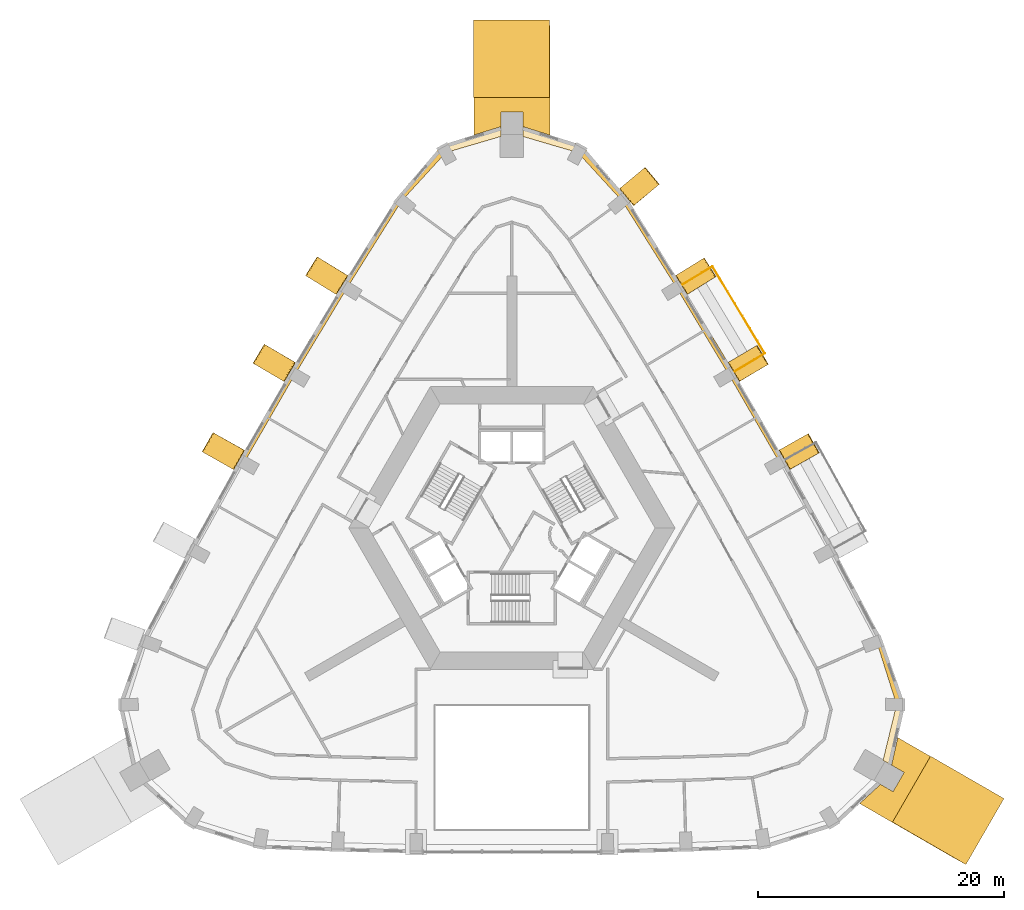
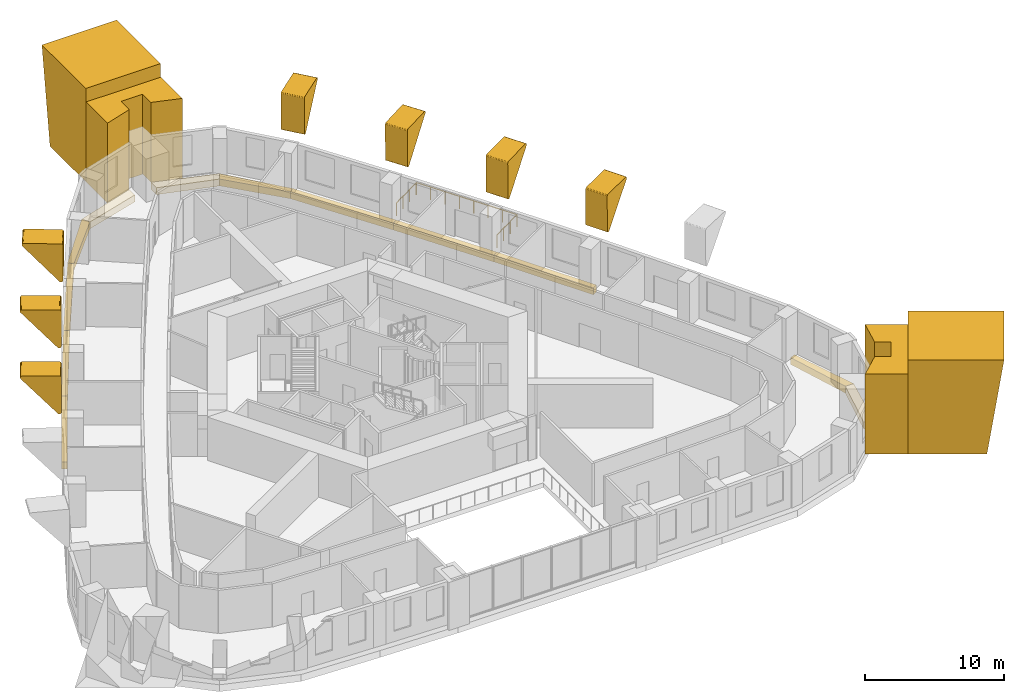
# One storey, part 13 of 13: 23 coverings, 1 railing.
"""IFC4 building model written with IfcOpenShell, lengths in metres."""

from ifc_helpers import new_model, si_unit, direction, frame, origin, origin_2d, place, context, subcontext, project, spatial, polyline, circle, outline, extrude, material, type_object, element, save


model = new_model("IFC4")

# Units and contexts
model_context = context("Model", 3, precision=1e-05, world=origin(), true_north=direction((0.0, 1.0)))
body_context = subcontext(model_context, "Body", "Model", "MODEL_VIEW")
ifc_project = project(units=[si_unit("LENGTHUNIT", "METRE"), si_unit("AREAUNIT", "SQUARE_METRE"), si_unit("VOLUMEUNIT", "CUBIC_METRE"), si_unit("PLANEANGLEUNIT", "RADIAN"), si_unit("MASSUNIT", "GRAM", prefix="KILO")], contexts=[model_context])

# Site, building, storey
site_placement = place(None, origin())
site = spatial("IfcSite", under=ifc_project, at=site_placement, CompositionType="ELEMENT")
building_placement = place(site_placement, origin())
building = spatial("IfcBuilding", under=site, at=building_placement, Name="Entoto Arch Interchange Tower", CompositionType="ELEMENT")
storey_placement = place(building_placement, frame((0.0, 0.0, 227.60009765625)))
storey = spatial("IfcBuildingStorey", under=building, at=storey_placement, Name="L51", CompositionType="ELEMENT", Elevation=227.60009765625)

# Railing
ifc_material_1 = material(Name="Stainless steel 1.4301", Category="steel")
railing_type = type_object("IfcRailingType", Name="GUARD 1100 STEEL AND GLASS", PredefinedType="GUARDRAIL", material=ifc_material_1)
railing_placement = place(storey_placement, frame((18.054931640625, 15.19091796875, 0.0)))
element("IfcRailing", 1, at=railing_placement, inside=storey, type_object=railing_type, Name="Balcony guard NE-04 L51", PredefinedType="GUARDRAIL", context=body_context, shape_type="SweptSolid", body=[
    extrude(circle(Radius=0.02392578125, at=origin_2d()), frame((0.0, 0.0, 1.076171875), z_axis=(0.857251870597, 0.514897300787, 0.0), x_axis=(-0.514897300787, 0.857251870597, 0.0)), (0.0, 0.0, 1.0), 2.9501953125),
    extrude(circle(Radius=0.02392578125, at=origin_2d()), frame((2.529052734375, 1.51904296875, 1.076171875), z_axis=(-0.514982587874, 0.857200638232, 0.0), x_axis=(-0.857200638232, -0.514982587874, 0.0)), (0.0, 0.0, 1.0), 8.25830078125),
    extrude(circle(Radius=0.02392578125, at=origin_2d()), frame((-1.723876953125, 8.59814453125, 1.076171875), z_axis=(-0.857251870597, -0.514897300787, 0.0), x_axis=(0.514897300787, -0.857251870597, 0.0)), (0.0, 0.0, 1.0), 2.9501953125),
    extrude(circle(Radius=0.02099609375, at=origin_2d()), origin(), (0.0, 0.0, 1.0), 1.052001953125),
    extrude(circle(Radius=0.02099609375, at=origin_2d()), frame((0.843017578125, 0.50634765625, 0.0)), (0.0, 0.0, 1.0), 1.052001953125),
    extrude(circle(Radius=0.02099609375, at=origin_2d()), frame((1.68603515625, 1.0126953125, 0.0)), (0.0, 0.0, 1.0), 1.052001953125),
    extrude(circle(Radius=0.02099609375, at=origin_2d()), frame((2.529052734375, 1.51904296875, 0.0)), (0.0, 0.0, 1.0), 1.052001953125),
    extrude(circle(Radius=0.02099609375, at=origin_2d()), frame((1.92138671875, 2.5302734375, 0.0)), (0.0, 0.0, 1.0), 1.052001953125),
    extrude(circle(Radius=0.02099609375, at=origin_2d()), frame((1.31396484375, 3.541748046875, 0.0)), (0.0, 0.0, 1.0), 1.052001953125),
    extrude(circle(Radius=0.02099609375, at=origin_2d()), frame((0.706298828125, 4.552978515625, 0.0)), (0.0, 0.0, 1.0), 1.052001953125),
    extrude(circle(Radius=0.02099609375, at=origin_2d()), frame((0.098876953125, 5.564208984375, 0.0)), (0.0, 0.0, 1.0), 1.052001953125),
    extrude(circle(Radius=0.02099609375, at=origin_2d()), frame((-0.5087890625, 6.575439453125, 0.0)), (0.0, 0.0, 1.0), 1.052001953125),
    extrude(circle(Radius=0.02099609375, at=origin_2d()), frame((-1.1162109375, 7.5869140625, 0.0)), (0.0, 0.0, 1.0), 1.052001953125),
    extrude(circle(Radius=0.02099609375, at=origin_2d()), frame((-1.723876953125, 8.59814453125, 0.0)), (0.0, 0.0, 1.0), 1.052001953125),
    extrude(circle(Radius=0.02099609375, at=origin_2d()), frame((-2.56689453125, 8.091796875, 0.0)), (0.0, 0.0, 1.0), 1.052001953125),
    extrude(circle(Radius=0.02099609375, at=origin_2d()), frame((-3.409912109375, 7.58544921875, 0.0)), (0.0, 0.0, 1.0), 1.052001953125),
    extrude(circle(Radius=0.02099609375, at=origin_2d()), frame((-4.2529296875, 7.0791015625, 0.0)), (0.0, 0.0, 1.0), 1.052001953125),
])

# Coverings
ifc_material_2 = material(Name="Board-marked precast concrete C50/60", Category="concrete")
covering_type_1 = type_object("IfcCoveringType", Name="PRECAST FRAME COURSE", PredefinedType="CLADDING", material=ifc_material_2)
covering_1_placement = place(storey_placement, frame((0.0, 0.0, -0.400146484375)))
element("IfcCovering", 2, at=covering_1_placement, inside=storey, type_object=covering_type_1, Name="Corner pilaster SE L51-L52", PredefinedType="CLADDING", context=body_context, shape_type="SweptSolid", body=[
    extrude(outline(polyline([(34.068115234375, -16.089111328125), (30.968017578125, -21.458984375), (28.30810546875, -19.923095703125), (30.0048828125, -18.362060546875), (31.028076171875, -18.952880859375), (31.927978515625, -17.39501953125), (30.905029296875, -16.803955078125), (31.407958984375, -14.553955078125), (34.068115234375, -16.089111328125)])), origin(), (0.0, 0.0, 1.0), 7.0),
])
covering_2_placement = place(storey_placement, frame((0.0, 0.0, -0.400146484375)))
element("IfcCovering", 3, at=covering_2_placement, inside=storey, type_object=covering_type_1, Name="Corner pilaster N L51-L52", PredefinedType="CLADDING", context=body_context, shape_type="SweptSolid", body=[
    extrude(outline(polyline([(-3.10009765625, 37.548095703125), (3.10009765625, 37.548095703125), (3.10009765625, 34.47705078125), (0.89990234375, 35.166015625), (0.89990234375, 36.347900390625), (-0.89990234375, 36.347900390625), (-0.89990234375, 35.166015625), (-3.10009765625, 34.47705078125), (-3.10009765625, 37.548095703125)])), origin(), (0.0, 0.0, 1.0), 7.0),
])
covering_3_placement = place(storey_placement, frame((30.968017578125, -21.458984375, -0.400146484375), z_axis=(-0.49993080446, -0.866060082597, 0.003020609797), x_axis=(0.866064033821, -0.499933084845, 1.28492e-07)))
element("IfcCovering", 4, at=covering_3_placement, inside=storey, type_object=covering_type_1, Name="Corner rib SE L51-L52", PredefinedType="CLADDING", context=body_context, shape_type="SweptSolid", body=[
    extrude(outline(polyline([(0.0, 0.0), (5.675005755559608, -1.734723475976807e-18), (6.89978450133589, 8.199987694082104), (-0.0006231748852076205, 8.19998930992508), (0.0, 0.0)])), origin(), (0.0, 0.0, -1.0), 6.199951171875),
])
covering_4_placement = place(storey_placement, frame((3.10009765625, 37.548095703125, -0.400146484375), z_axis=(0.999995297823, 0.0, 0.003066648277), x_axis=(0.0, 1.0, 0.0)))
element("IfcCovering", 5, at=covering_4_placement, inside=storey, type_object=covering_type_1, Name="Corner rib N L51-L52", PredefinedType="CLADDING", context=body_context, shape_type="SweptSolid", body=[
    extrude(outline(polyline([(0.0, 0.0), (5.181884765625, 0.0), (6.2998046875, 8.199989729677144), (0.0, 8.199989729677144), (0.0, 0.0)])), origin(), (0.0, 0.0, -1.0), 6.199951171875),
])
covering_5_placement = place(storey_placement, frame((22.85791015625, 7.387939453125, 4.52783203125), z_axis=(0.491576967194, -0.870828589468, 0.003106942243), x_axis=(-0.634320139309, -0.360509407057, -0.683864700281)))
element("IfcCovering", 6, at=covering_5_placement, inside=storey, type_object=covering_type_1, Name="Fold rib NE03 L51-L52", PredefinedType="CLADDING", context=body_context, shape_type="SweptSolid", body=[
    extrude(outline(polyline([(0.0, 0.0), (0.043911368524046354, 6.938893903907228e-18), (0.08593271025563004, -0.013624460586668052), (0.12203185228078238, -0.03909288390577523), (0.14958583988626284, -0.07328688225286195), (0.16547321508668925, -0.11394071397998155), (0.16984279958621346, -0.15785701935915258), (0.16045663784232295, -0.2012608835699885), (0.13856206900591655, -0.23963247374269606), (-1.9411161600260316, -2.4597055127682133), (-1.9630153409614421, -2.479002793426758), (-1.9879479606843236, -2.4937793099642445), (-2.030498192091902, -2.506096282119965), (-2.060277239418708, -2.5069641299541736), (-2.088927523389633, -2.5021951032300125), (-2.1298684851256597, -2.4842289353187543), (-2.1531249826477317, -2.466449771331687), (-3.94739389095182, -0.7846561488272543), (-3.97531203436521, -0.7504595737932034), (-3.9871272985380166, -0.7229860794531526), (-3.9937389740037865, -0.6947044807622047), (-3.994448986643925, -0.6652611033169173), (-3.9898186931248647, -0.6368092827951237), (-3.9797479826145663, -0.6091068195122304), (-3.9637692443616928, -0.5842622252535754), (-3.9446875172923708, -0.5626607458666619), (-3.9205779166059997, -0.5454378288624282), (-3.893935754598184, -0.5332700526148613), (-3.8651742170488275, -0.5260967640960683), (0.0, 0.0)])), origin(), (0.0, 0.0, -1.0), 1.800048828125),
])
covering_6_placement = place(storey_placement, frame((18.741943359375, 14.552001953125, 4.52783203125), z_axis=(0.508675880384, -0.860953839268, 0.002708387933), x_axis=(-0.63279111093, -0.376000291356, -0.67690412233)))
element("IfcCovering", 7, at=covering_6_placement, inside=storey, type_object=covering_type_1, Name="Fold rib NE04 L51-L52", PredefinedType="CLADDING", context=body_context, shape_type="SweptSolid", body=[
    extrude(outline(polyline([(0.0, 0.0), (0.0443646030487318, -3.469446951953614e-18), (0.08624555930871344, -0.012975883275242892), (0.12324577121394895, -0.03738464969672398), (0.1505646327132973, -0.07212322072284208), (0.16745905051965398, -0.11320105758241068), (0.17152628834628117, -0.1564136481487727), (0.16291199203017953, -0.20023347095962551), (0.1414701345333054, -0.2388914645316724), (-1.9172392283729605, -2.4784240231967174), (-1.938875439743951, -2.497999360000449), (-1.9642819781394676, -2.5124437745213846), (-2.0066107779472127, -2.5252616141886035), (-2.0358645664149657, -2.526882007651118), (-2.0650148894977383, -2.521968053702342), (-2.1058547969529315, -2.50464209334283), (-2.129195509979199, -2.487158149828168), (-3.9405364122704816, -0.8214022755009689), (-3.968159894945439, -0.7880393334938944), (-3.979908449469839, -0.7609846395339921), (-3.986785494817173, -0.7327680279480635), (-3.9881362762623604, -0.7030022801815836), (-3.9837760465136878, -0.6745068359722208), (-3.973969426631376, -0.6467085262177079), (-3.9586493646852157, -0.6213269237154599), (-3.9391487088173065, -0.6001218911359736), (-3.9157548995059357, -0.5821639024388106), (-3.8890283348066172, -0.5699254686801958), (-3.860182115439823, -0.562622709381134), (0.0, 0.0)])), origin(), (0.0, 0.0, -1.0), 1.800048828125),
])
covering_7_placement = place(storey_placement, frame((14.501953125, 21.64404296875, 4.52880859375), z_axis=(0.525322815629, -0.850896800161, 0.003251900143), x_axis=(-0.627565395625, -0.390018682633, -0.67383017253)))
element("IfcCovering", 8, at=covering_7_placement, inside=storey, type_object=covering_type_1, Name="Fold rib NE05 L51-L52", PredefinedType="CLADDING", context=body_context, shape_type="SweptSolid", body=[
    extrude(outline(polyline([(0.0, 0.0), (0.04420191502299069, 3.469446951953614e-18), (0.0866724998743619, -0.012959476548255633), (0.1235292395985271, -0.0369886521149218), (0.15099765300161921, -0.07162076127842755), (0.16847411640580917, -0.11167889890840324), (0.17252446236770974, -0.15601483827026985), (0.163709446802529, -0.19952603124421392), (0.14280521739302063, -0.23861353270080163), (-1.906019944452079, -2.485870475745193), (-1.9275840223713, -2.5055272350863373), (-1.9524000267038912, -2.520562649999279), (-1.9952927964316525, -2.5329895743890574), (-2.024297251474172, -2.534956630731815), (-2.0533779169014768, -2.53024356922066), (-2.0940455777733606, -2.513312606348193), (-2.117932019540412, -2.4954968319972224), (-3.9298894298645877, -0.8430571484331866), (-3.9499808621723878, -0.8207717142608362), (-3.9649945530873776, -0.796172832422092), (-3.9774097294997075, -0.7537925061103317), (-3.978884652633771, -0.7240309622778387), (-3.9746381895403986, -0.6955207323804957), (-3.964427065896137, -0.6681586072593453), (-3.949210588105278, -0.6427149898580549), (-3.929798488408369, -0.6214289220491072), (-3.906474604998144, -0.6033784626320757), (-3.879551802889437, -0.5912550781976849), (-3.8521672961992683, -0.5838476282934502), (0.0, 0.0)])), origin(), (0.0, 0.0, -1.0), 1.800048828125),
])
covering_8_placement = place(storey_placement, frame((10.114990234375, 28.89501953125, 4.531982421875), z_axis=(0.63878142564, -0.769382833155, 0.002888997078), x_axis=(-0.564408988161, -0.471146784183, -0.677837149939)))
element("IfcCovering", 9, at=covering_8_placement, inside=storey, type_object=covering_type_1, Name="Fold rib NE06 L51-L52", PredefinedType="CLADDING", context=body_context, shape_type="SweptSolid", body=[
    extrude(outline(polyline([(0.0, 0.0), (0.04430232169790698, -3.469446951953614e-18), (0.08589181760261966, -0.01244298361781606), (0.12321027850882846, -0.03722036646724846), (0.1514546146384638, -0.0715627562106459), (0.16823933214936712, -0.11293863655400832), (0.17265914575762564, -0.15619663035434866), (0.16371143658187404, -0.1997522848119002), (0.14235359189858587, -0.2385045647859624), (-1.9175495176416584, -2.4729577576357453), (-1.939265110176191, -2.4924537705246808), (-1.963991121471326, -2.50751310919119), (-2.006882821998999, -2.519771223498347), (-2.0364206429118994, -2.521095550753564), (-2.0650163601950466, -2.5166503227009045), (-2.105470058804166, -2.4996081388613924), (-2.1292656625806567, -2.4816533882800544), (-3.9181349373191896, -0.83237197518922), (-3.945418450029972, -0.799246263194918), (-3.957671871578901, -0.7716795757071313), (-3.9645143039558026, -0.7434517993813436), (-3.9661124153526277, -0.7147488322187832), (-3.96171199845005, -0.6849356682131509), (-3.951110846819987, -0.6578504820026658), (-3.937094403702188, -0.6329171173145114), (-3.916739430693778, -0.610839386038819), (-3.89341039739964, -0.5941580594598814), (-3.8666113547215684, -0.5806776581231592), (-3.8383743588187293, -0.5741708228633131), (0.0, 0.0)])), origin(), (0.0, 0.0, -1.0), 1.800048828125),
])
covering_9_placement = place(storey_placement, frame((-13.552978515625, 23.174072265625, 4.501953125), z_axis=(0.525387548248, 0.850857002284, 0.00320714996), x_axis=(0.648046140491, -0.397707595997, -0.649511253083)))
element("IfcCovering", 10, at=covering_9_placement, inside=storey, type_object=covering_type_1, Name="Fold rib NW02 L51-L52", PredefinedType="CLADDING", context=body_context, shape_type="SweptSolid", body=[
    extrude(outline(polyline([(0.0, 0.0), (0.043227205073427984, 3.469446951953614e-18), (0.08530364538399965, -0.012182643182585336), (0.12149253852352593, -0.036675251684459294), (0.1490483700891961, -0.06952467767958552), (0.1665475682665989, -0.10919918237067625), (0.17203604829526897, -0.15209842983212682), (0.16423904378861448, -0.19552906056578778), (0.14485760608936357, -0.2341984212023982), (-1.8446463786187617, -2.5643978724145597), (-1.865803415529584, -2.584537373954877), (-1.8900223956227535, -2.6004545061409123), (-1.9318580954867801, -2.614806185333718), (-1.9615725056384667, -2.6170374035201425), (-1.9908879160314155, -2.61318629647798), (-2.0319241631427376, -2.59771672834883), (-2.05588778734266, -2.581101032146212), (-4.075288257570001, -0.8560661922960564), (-4.09608984906643, -0.8344416415072622), (-4.111650583626943, -0.8092684617142161), (-4.12543281250543, -0.7673119472879026), (-4.127872824334307, -0.7376146066320795), (-4.124309265556335, -0.7079061041919883), (-4.114257726346759, -0.6795662618048), (-4.099584019851992, -0.6538949552492084), (-4.079288581660675, -0.6317353768744942), (-4.055991960402221, -0.613427134385081), (-4.0287106794332015, -0.6014121296331454), (-4.000155347464595, -0.5927309682197235), (0.0, 0.0)])), origin(), (0.0, 0.0, -1.0), 1.800048828125),
])
covering_10_placement = place(storey_placement, frame((-17.823974609375, 16.10009765625, 4.5009765625), z_axis=(0.5084490585, 0.861086707245, 0.003039328452), x_axis=(0.662617403951, -0.388999133039, -0.640013945532)))
element("IfcCovering", 11, at=covering_10_placement, inside=storey, type_object=covering_type_1, Name="Fold rib NW03 L51-L52", PredefinedType="CLADDING", context=body_context, shape_type="SweptSolid", body=[
    extrude(outline(polyline([(0.0, 0.0), (0.043867923368931264, -3.469446951953614e-18), (0.08570453958665569, -0.011335520858551405), (0.12180449780949981, -0.03505136956317634), (0.15056606443527137, -0.06790566424337618), (0.1686521631430008, -0.10775444359442551), (0.17365771961727913, -0.1510063766399216), (0.16717895870569588, -0.19390883375883033), (0.1481883405356223, -0.23274019435266413), (-1.8130329965473442, -2.588065809695072), (-1.8339482955946915, -2.6084578264037446), (-1.8579720945775793, -2.624670239672763), (-1.9003614401046807, -2.6389276735395097), (-1.9295023664374003, -2.641981780438301), (-1.9587609043270497, -2.638579511826402), (-1.9997549673855917, -2.6238143073049613), (-2.0245710218974518, -2.6069576381813317), (-4.070638368026014, -0.902656996135321), (-4.091961083144372, -0.8810840359080911), (-4.10782654621026, -0.856109665330826), (-4.122385621168849, -0.8141162809786531), (-4.125192615691148, -0.7844513714664161), (-4.121609788779816, -0.7550267336284218), (-4.11190549664185, -0.7265680906724377), (-4.097943166244905, -0.7003865684563724), (-4.077697028195965, -0.6781701301743452), (-4.054471048281207, -0.6597058923824206), (-4.027724149751103, -0.6470314819460878), (-3.9982480594304715, -0.6388575288942604), (0.0, 0.0)])), origin(), (0.0, 0.0, -1.0), 1.800048828125),
])
covering_11_placement = place(storey_placement, frame((-21.970947265625, 8.9541015625, 4.5009765625), z_axis=(0.491550909125, 0.870843644299, 0.003008475082), x_axis=(0.666076471128, -0.373739359402, -0.645492854991)))
element("IfcCovering", 12, at=covering_11_placement, inside=storey, type_object=covering_type_1, Name="Fold rib NW04 L51-L52", PredefinedType="CLADDING", context=body_context, shape_type="SweptSolid", body=[
    extrude(outline(polyline([(0.0, 0.0), (0.04349647854214886, 3.469446951953614e-18), (0.08589443608890741, -0.012179417592156433), (0.12144838851777955, -0.03583545586715822), (0.1502510531820252, -0.06912662432427565), (0.1676797291661156, -0.10878904887925861), (0.17227736722579745, -0.15199404962511368), (0.1651136274705428, -0.19452770168959896), (0.1459409187109684, -0.23330430657065115), (-1.8311948086764112, -2.575288885687634), (-1.8527207416920433, -2.595133082411216), (-1.8768619118292655, -2.611170916919139), (-1.9187240579994225, -2.6256575776451037), (-1.9480515380111707, -2.62836224418457), (-1.9775590183435843, -2.6245225838452075), (-2.0187213741424817, -2.6092343088782104), (-2.0427652743471767, -2.5927465513784647), (-4.076348254551656, -0.8740649903672912), (-4.097260435362975, -0.8525542238197032), (-4.113471256587783, -0.8270265814742088), (-4.127728010803231, -0.7849285684730398), (-4.129949833818303, -0.7555612657881832), (-4.126064518180144, -0.7262404681161494), (-4.1168899432234465, -0.697232701149606), (-4.102118896971954, -0.6716804949216322), (-4.082084735094915, -0.6492931581789199), (-4.058333671285402, -0.6313263728319058), (-4.032050264705751, -0.6183795288945388), (-4.002725092797983, -0.6102377808397224), (0.0, 0.0)])), origin(), (0.0, 0.0, -1.0), 1.800048828125),
])
covering_type_2 = type_object("IfcCoveringType", Name="PRECAST LEDGE COURSE", PredefinedType="CLADDING", material=ifc_material_2)
covering_12_placement = place(storey_placement, frame((0.0, 0.0, -1.0)))
element("IfcCovering", 13, at=covering_12_placement, inside=storey, type_object=covering_type_2, Name="Precast course SE-03 L51", PredefinedType="CLADDING", context=body_context, shape_type="SweptSolid", body=[
    extrude(outline(polyline([(31.31201171875, -11.873046875), (32.00390625, -11.889892578125), (30.905029296875, -16.803955078125), (30.212890625, -16.404052734375), (31.31201171875, -11.873046875)])), origin(), (0.0, 0.0, 1.0), 0.599853515625),
])
covering_13_placement = place(storey_placement, frame((0.0, 0.0, -1.0)))
element("IfcCovering", 14, at=covering_13_placement, inside=storey, type_object=covering_type_2, Name="Precast course SE-04 L51", PredefinedType="CLADDING", context=body_context, shape_type="SweptSolid", body=[
    extrude(outline(polyline([(29.699951171875, -6.7880859375), (30.14306640625, -6.6240234375), (32.00390625, -11.889892578125), (31.31201171875, -11.873046875), (29.699951171875, -6.7880859375)])), origin(), (0.0, 0.0, 1.0), 0.599853515625),
])
covering_14_placement = place(storey_placement, frame((0.0, 0.0, -1.0)))
element("IfcCovering", 15, at=covering_14_placement, inside=storey, type_object=covering_type_2, Name="Precast course NE-03 L51", PredefinedType="CLADDING", context=body_context, shape_type="SweptSolid", body=[
    extrude(outline(polyline([(17.6669921875, 14.9619140625), (18.054931640625, 15.19091796875), (22.18408203125, 8.041015625), (21.791015625, 7.819091796875), (17.6669921875, 14.9619140625)])), origin(), (0.0, 0.0, 1.0), 0.599853515625),
])
covering_15_placement = place(storey_placement, frame((0.0, 0.0, -1.0)))
element("IfcCovering", 16, at=covering_15_placement, inside=storey, type_object=covering_type_2, Name="Precast course NE-04 L51", PredefinedType="CLADDING", context=body_context, shape_type="SweptSolid", body=[
    extrude(outline(polyline([(13.4140625, 22.030029296875), (13.802001953125, 22.27001953125), (18.054931640625, 15.19091796875), (17.6669921875, 14.9619140625), (13.4140625, 22.030029296875)])), origin(), (0.0, 0.0, 1.0), 0.599853515625),
])
covering_16_placement = place(storey_placement, frame((0.0, 0.0, -1.0)))
element("IfcCovering", 17, at=covering_16_placement, inside=storey, type_object=covering_type_2, Name="Precast course NE-05 L51", PredefinedType="CLADDING", context=body_context, shape_type="SweptSolid", body=[
    extrude(outline(polyline([(8.970947265625, 29.114990234375), (9.3349609375, 29.4169921875), (13.802001953125, 22.27001953125), (13.4140625, 22.030029296875), (8.970947265625, 29.114990234375)])), origin(), (0.0, 0.0, 1.0), 0.599853515625),
])
covering_17_placement = place(storey_placement, frame((0.0, 0.0, -1.0)))
element("IfcCovering", 18, at=covering_17_placement, inside=storey, type_object=covering_type_2, Name="Precast course N-01 L51", PredefinedType="CLADDING", context=body_context, shape_type="SweptSolid", body=[
    extrude(outline(polyline([(5.373046875, 33.052978515625), (5.705078125, 33.660888671875), (9.3349609375, 29.4169921875), (8.970947265625, 29.114990234375), (5.373046875, 33.052978515625)])), origin(), (0.0, 0.0, 1.0), 0.599853515625),
])
covering_18_placement = place(storey_placement, frame((0.0, 0.0, -1.0)))
element("IfcCovering", 19, at=covering_18_placement, inside=storey, type_object=covering_type_2, Name="Precast course N-02 L51", PredefinedType="CLADDING", context=body_context, shape_type="SweptSolid", body=[
    extrude(outline(polyline([(0.89990234375, 34.367919921875), (0.89990234375, 35.166015625), (5.705078125, 33.660888671875), (5.373046875, 33.052978515625), (0.89990234375, 34.367919921875)])), origin(), (0.0, 0.0, 1.0), 0.599853515625),
])
covering_19_placement = place(storey_placement, frame((0.0, 0.0, -1.0)))
element("IfcCovering", 20, at=covering_19_placement, inside=storey, type_object=covering_type_2, Name="Precast course N-03 L51", PredefinedType="CLADDING", context=body_context, shape_type="SweptSolid", body=[
    extrude(outline(polyline([(-5.373046875, 33.052978515625), (-5.705078125, 33.660888671875), (-0.89990234375, 35.166015625), (-0.89990234375, 34.367919921875), (-5.373046875, 33.052978515625)])), origin(), (0.0, 0.0, 1.0), 0.599853515625),
])
covering_20_placement = place(storey_placement, frame((0.0, 0.0, -1.0)))
element("IfcCovering", 21, at=covering_20_placement, inside=storey, type_object=covering_type_2, Name="Precast course N-04 L51", PredefinedType="CLADDING", context=body_context, shape_type="SweptSolid", body=[
    extrude(outline(polyline([(-8.970947265625, 29.114990234375), (-9.3349609375, 29.4169921875), (-5.705078125, 33.660888671875), (-5.373046875, 33.052978515625), (-8.970947265625, 29.114990234375)])), origin(), (0.0, 0.0, 1.0), 0.599853515625),
])
covering_21_placement = place(storey_placement, frame((0.0, 0.0, -1.0)))
element("IfcCovering", 22, at=covering_21_placement, inside=storey, type_object=covering_type_2, Name="Precast course NW-01 L51", PredefinedType="CLADDING", context=body_context, shape_type="SweptSolid", body=[
    extrude(outline(polyline([(-13.4140625, 22.030029296875), (-13.802001953125, 22.27001953125), (-9.3349609375, 29.4169921875), (-8.970947265625, 29.114990234375), (-13.4140625, 22.030029296875)])), origin(), (0.0, 0.0, 1.0), 0.599853515625),
])
covering_22_placement = place(storey_placement, frame((0.0, 0.0, -1.0)))
element("IfcCovering", 23, at=covering_22_placement, inside=storey, type_object=covering_type_2, Name="Precast course NW-02 L51", PredefinedType="CLADDING", context=body_context, shape_type="SweptSolid", body=[
    extrude(outline(polyline([(-17.6669921875, 14.9619140625), (-18.054931640625, 15.19091796875), (-13.802001953125, 22.27001953125), (-13.4140625, 22.030029296875), (-17.6669921875, 14.9619140625)])), origin(), (0.0, 0.0, 1.0), 0.599853515625),
])
covering_23_placement = place(storey_placement, frame((0.0, 0.0, -1.0)))
element("IfcCovering", 24, at=covering_23_placement, inside=storey, type_object=covering_type_2, Name="Precast course NW-03 L51", PredefinedType="CLADDING", context=body_context, shape_type="SweptSolid", body=[
    extrude(outline(polyline([(-21.791015625, 7.819091796875), (-22.18408203125, 8.041015625), (-18.054931640625, 15.19091796875), (-17.6669921875, 14.9619140625), (-21.791015625, 7.819091796875)])), origin(), (0.0, 0.0, 1.0), 0.599853515625),
])

save(model, "model.ifc")
